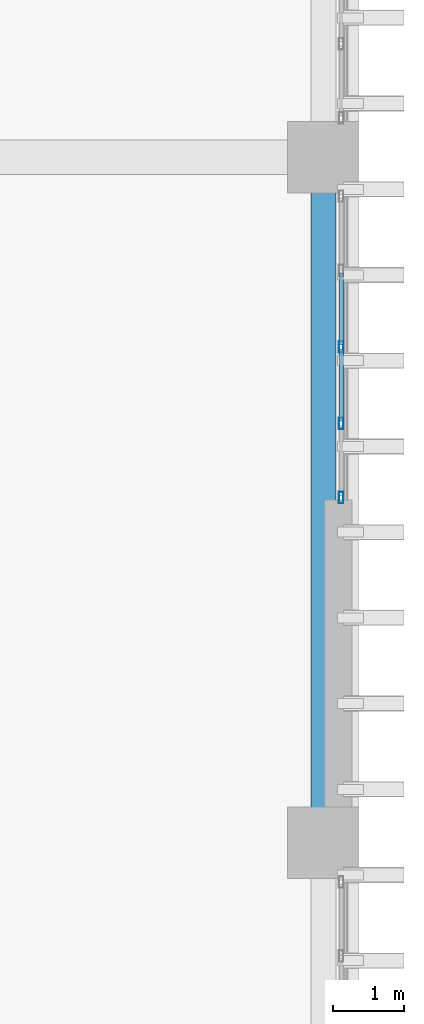
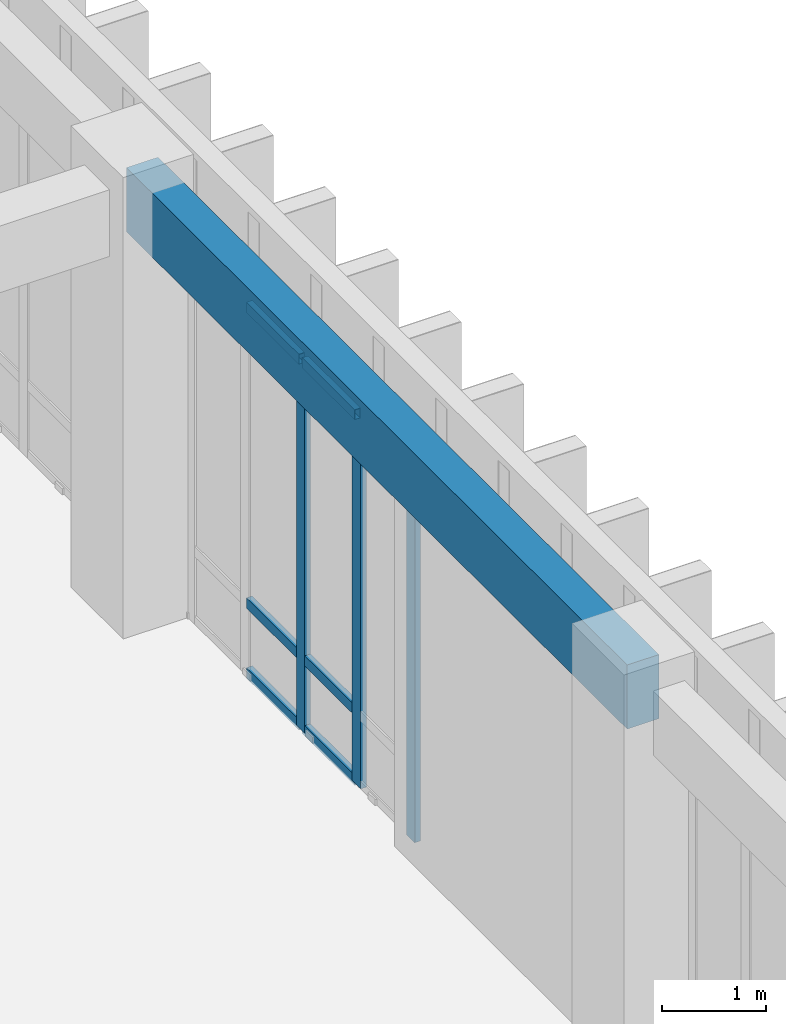
# One storey, part 66 of 134: 9 members, 1 beam, 1 element without a shape of its own.
"""IFC4 building model written with IfcOpenShell, lengths in metres."""

from ifc_helpers import new_model, si_unit, direction, frame, origin, origin_2d, place, context, subcontext, project, spatial, rectangle, hollow_rectangle, extrude, material, layer, layer_set, material_profile, profile_set, type_object, element, aggregate, save


model = new_model("IFC4")

# Units and contexts
model_context = context("Model", 3, precision=1e-05, world=origin(), true_north=direction((0.0, 1.0)))
body_context = subcontext(model_context, "Body", "Model", "MODEL_VIEW")
ifc_project = project(units=[si_unit("LENGTHUNIT", "METRE"), si_unit("AREAUNIT", "SQUARE_METRE"), si_unit("VOLUMEUNIT", "CUBIC_METRE"), si_unit("PLANEANGLEUNIT", "RADIAN"), si_unit("MASSUNIT", "GRAM", prefix="KILO")], contexts=[model_context])

# Site, building, storey
site_placement = place(None, origin())
site = spatial("IfcSite", under=ifc_project, at=site_placement, CompositionType="ELEMENT")
building_placement = place(site_placement, origin())
building = spatial("IfcBuilding", under=site, at=building_placement, Name="Nakhvara Creek Congress Hotel", CompositionType="ELEMENT")
storey_placement = place(building_placement, frame((0.0, 0.0, 6.0)))
storey = spatial("IfcBuildingStorey", under=building, at=storey_placement, Name="L01", CompositionType="ELEMENT", Elevation=6.0)

# Beam
ifc_material_1 = material(Name="Concrete C40/50", Category="concrete")
ifc_material_profile_1 = material_profile(ifc_material_1, rectangle(XDim=0.35009765625, YDim=0.75, at=origin_2d()), Name="RC-SPANDREL 350x750", Category="LoadBearing")
ifc_profile_set_1 = profile_set([ifc_material_profile_1], Name="Concrete C40/50")
beam_type = type_object("IfcBeamType", Name="BM-SPN-350X750", PredefinedType="SPANDREL", material=ifc_profile_set_1)
beam_placement = place(storey_placement, frame((179.35009765625, 38.39990234375, 4.72509765625), z_axis=(0.0, 1.0, 0.0), x_axis=(-1.0, 0.0, 0.0)))
element("IfcBeam", 1, at=beam_placement, inside=storey, type_object=beam_type, Name="Beam SP1-L01-1353", PredefinedType="SPANDREL", context=body_context, shape_type="SweptSolid", body=[
    extrude(rectangle(XDim=0.35009765625, YDim=0.75, at=origin_2d()), origin(), (0.0, 0.0, 1.0), 9.60009765625),
])

# Curtain wall, members
ifc_material_2 = material(Name="Bronze-anodised aluminium AW-6063-T6 and double-silver low-E glass", Category="aluminium")
ifc_layer = layer(ifc_material_2, 0.199951171875)
ifc_layer_set = layer_set([ifc_layer], Name="Bronze-anodised aluminium AW-6063-T6 and double-silver low-E glass")
curtain_wall_type = type_object("IfcCurtainWallType", Name="CW-HTL-UNIT", PredefinedType="USERDEFINED", material=ifc_layer_set)
curtain_wall_placement = place(storey_placement, origin())
curtain_wall = element("IfcCurtainWall", 2, at=curtain_wall_placement, inside=storey, type_object=curtain_wall_type, Name="Curtain Wall CW112", ObjectType="UNITISED", PredefinedType="USERDEFINED")
ifc_material_3 = material(Name="Bronze-anodised aluminium AW-6063-T6", Category="aluminium")
ifc_material_profile_2 = material_profile(ifc_material_3, hollow_rectangle(XDim=0.06494140625, YDim=0.159912109375, WallThickness=0.00390625, at=origin_2d()), Name="ALU-MULL 65x160x4", Category="LoadBearing")
ifc_profile_set_2 = profile_set([ifc_material_profile_2], Name="Bronze-anodised aluminium AW-6063-T6")
member_type_1 = type_object("IfcMemberType", Name="CW-MULL-160", PredefinedType="MULLION", material=ifc_profile_set_2)
member_1_placement = place(storey_placement, frame((179.60009765625, 45.342529296875, 0.0), z_axis=(0.0, 0.0, 1.0), x_axis=(1.0, 0.0, 0.0)))
member_1 = element("IfcMember", 3, at=member_1_placement, type_object=member_type_1, Name="CW112 mullion 3", PredefinedType="MULLION", context=body_context, shape_type="SweptSolid", body=[
    extrude(hollow_rectangle(XDim=0.06494140625, YDim=0.159912109375, WallThickness=0.00390625, at=origin_2d()), origin(), (0.0, 0.0, 1.0), 4.342041015625),
])
member_2_placement = place(storey_placement, frame((179.60009765625, 44.271240234375, 0.0), z_axis=(0.0, 0.0, 1.0), x_axis=(1.0, 0.0, 0.0)))
member_2 = element("IfcMember", 4, at=member_2_placement, type_object=member_type_1, Name="CW112 mullion 4", PredefinedType="MULLION", context=body_context, shape_type="SweptSolid", body=[
    extrude(hollow_rectangle(XDim=0.06494140625, YDim=0.159912109375, WallThickness=0.00390625, at=origin_2d()), origin(), (0.0, 0.0, 1.0), 4.342041015625),
])
member_3_placement = place(storey_placement, frame((179.60009765625, 43.232421875, 0.0), z_axis=(0.0, 0.0, 1.0), x_axis=(1.0, 0.0, 0.0)))
member_3 = element("IfcMember", 5, at=member_3_placement, type_object=member_type_1, Name="CW112 mullion 5", PredefinedType="MULLION", context=body_context, shape_type="SweptSolid", body=[
    extrude(hollow_rectangle(XDim=0.06494140625, YDim=0.159912109375, WallThickness=0.00390625, at=origin_2d()), origin(), (0.0, 0.0, 1.0), 4.342041015625),
])
ifc_material_profile_3 = material_profile(ifc_material_3, hollow_rectangle(XDim=0.06494140625, YDim=0.1201171875, WallThickness=0.00390625, at=origin_2d()), Name="ALU-TRAN 65x120x4", Category="LoadBearing")
ifc_profile_set_3 = profile_set([ifc_material_profile_3], Name="Bronze-anodised aluminium AW-6063-T6")
member_type_2 = type_object("IfcMemberType", Name="CW-TRAN-120", PredefinedType="USERDEFINED", material=ifc_profile_set_3)
member_4_placement = place(storey_placement, frame((179.60009765625, 46.38134765625, 0.032470703125), z_axis=(0.0, -1.0, 0.0), x_axis=(1.0, 0.0, 0.0)))
member_4 = element("IfcMember", 6, at=member_4_placement, type_object=member_type_2, Name="CW112 transom 2.1", ObjectType="TRANSOM", PredefinedType="USERDEFINED", context=body_context, shape_type="SweptSolid", body=[
    extrude(hollow_rectangle(XDim=0.06494140625, YDim=0.1201171875, WallThickness=0.00390625, at=origin_2d()), origin(), (0.0, 0.0, 1.0), 1.00634765625),
])
member_5_placement = place(storey_placement, frame((179.60009765625, 46.38134765625, 0.85009765625), z_axis=(0.0, -1.0, 0.0), x_axis=(1.0, 0.0, 0.0)))
member_5 = element("IfcMember", 7, at=member_5_placement, type_object=member_type_2, Name="CW112 transom 2.2", ObjectType="TRANSOM", PredefinedType="USERDEFINED", context=body_context, shape_type="SweptSolid", body=[
    extrude(hollow_rectangle(XDim=0.06494140625, YDim=0.1201171875, WallThickness=0.00390625, at=origin_2d()), origin(), (0.0, 0.0, 1.0), 1.00634765625),
])
member_6_placement = place(storey_placement, frame((179.60009765625, 46.38134765625, 4.3095703125), z_axis=(0.0, -1.0, 0.0), x_axis=(1.0, 0.0, 0.0)))
member_6 = element("IfcMember", 8, at=member_6_placement, type_object=member_type_2, Name="CW112 transom 2.3", ObjectType="TRANSOM", PredefinedType="USERDEFINED", context=body_context, shape_type="SweptSolid", body=[
    extrude(hollow_rectangle(XDim=0.06494140625, YDim=0.1201171875, WallThickness=0.00390625, at=origin_2d()), origin(), (0.0, 0.0, 1.0), 1.00634765625),
])
member_7_placement = place(storey_placement, frame((179.60009765625, 45.31005859375, 0.032470703125), z_axis=(0.0, -1.0, 0.0), x_axis=(1.0, 0.0, 0.0)))
member_7 = element("IfcMember", 9, at=member_7_placement, type_object=member_type_2, Name="CW112 transom 3.1", ObjectType="TRANSOM", PredefinedType="USERDEFINED", context=body_context, shape_type="SweptSolid", body=[
    extrude(hollow_rectangle(XDim=0.06494140625, YDim=0.1201171875, WallThickness=0.00390625, at=origin_2d()), origin(), (0.0, 0.0, 1.0), 1.00634765625),
])
member_8_placement = place(storey_placement, frame((179.60009765625, 45.31005859375, 0.85009765625), z_axis=(0.0, -1.0, 0.0), x_axis=(1.0, 0.0, 0.0)))
member_8 = element("IfcMember", 10, at=member_8_placement, type_object=member_type_2, Name="CW112 transom 3.2", ObjectType="TRANSOM", PredefinedType="USERDEFINED", context=body_context, shape_type="SweptSolid", body=[
    extrude(hollow_rectangle(XDim=0.06494140625, YDim=0.1201171875, WallThickness=0.00390625, at=origin_2d()), origin(), (0.0, 0.0, 1.0), 1.00634765625),
])
member_9_placement = place(storey_placement, frame((179.60009765625, 45.31005859375, 4.3095703125), z_axis=(0.0, -1.0, 0.0), x_axis=(1.0, 0.0, 0.0)))
member_9 = element("IfcMember", 11, at=member_9_placement, type_object=member_type_2, Name="CW112 transom 3.3", ObjectType="TRANSOM", PredefinedType="USERDEFINED", context=body_context, shape_type="SweptSolid", body=[
    extrude(hollow_rectangle(XDim=0.06494140625, YDim=0.1201171875, WallThickness=0.00390625, at=origin_2d()), origin(), (0.0, 0.0, 1.0), 1.00634765625),
])
aggregate(curtain_wall, [member_1, member_2, member_3, member_4, member_5, member_6, member_7, member_8, member_9])

save(model, "model.ifc")
